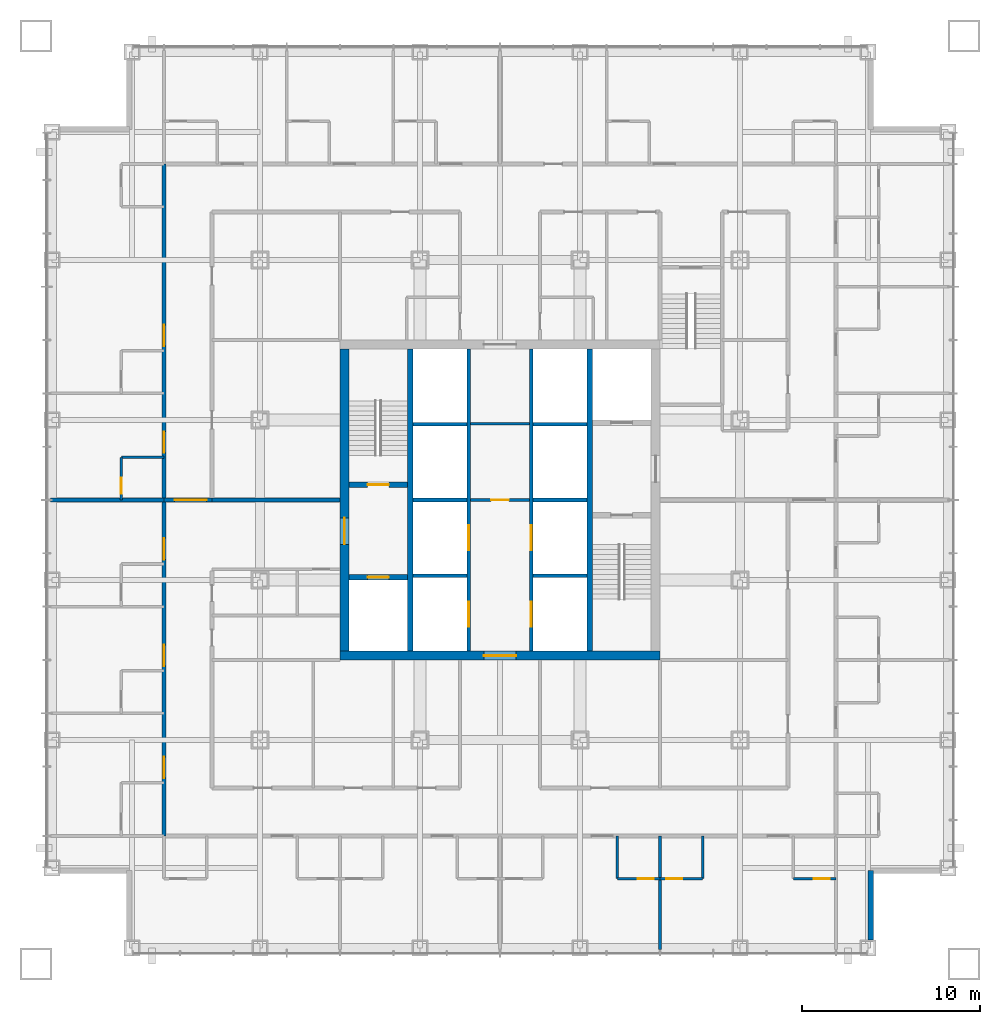
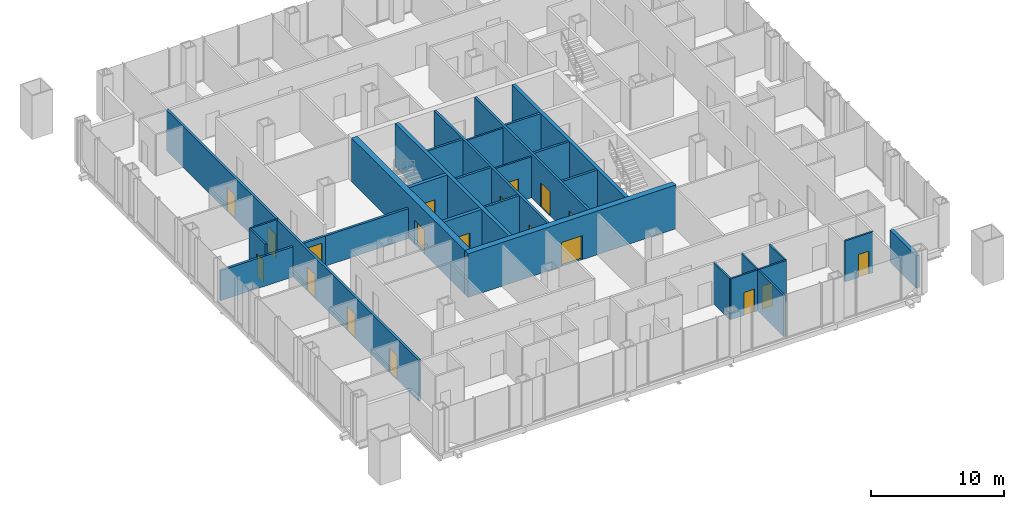
# One storey, part 8 of 12: 29 walls, 19 doors, 19 openings.
"""IFC4 building model written with IfcOpenShell, lengths in metres."""

from ifc_helpers import new_model, si_unit, direction, frame, frame_2d, origin, place, context, subcontext, project, spatial, rectangle, extrude, material, layer, layer_set, type_object, element, fill, save


model = new_model("IFC4")

# Units and contexts
model_context = context("Model", 3, precision=1e-05, world=origin(), true_north=direction((0.0, 1.0)))
body_context = subcontext(model_context, "Body", "Model", "MODEL_VIEW")
ifc_project = project(units=[si_unit("LENGTHUNIT", "METRE"), si_unit("AREAUNIT", "SQUARE_METRE"), si_unit("VOLUMEUNIT", "CUBIC_METRE"), si_unit("PLANEANGLEUNIT", "RADIAN"), si_unit("MASSUNIT", "GRAM", prefix="KILO")], contexts=[model_context])

# Site, building, storey
site_placement = place(None, origin())
site = spatial("IfcSite", under=ifc_project, at=site_placement, CompositionType="ELEMENT")
building_placement = place(site_placement, origin())
building = spatial("IfcBuilding", under=site, at=building_placement, Name="Malebo Sky Hospital", CompositionType="ELEMENT")
storey_placement = place(building_placement, frame((0.0, 0.0, 59.0)))
storey = spatial("IfcBuildingStorey", under=building, at=storey_placement, Name="L13", CompositionType="ELEMENT", Elevation=59.0)

# Wall, openings, doors
ifc_material_1 = material(Name="Concrete C80/95", Category="concrete")
ifc_layer_1 = layer(ifc_material_1, 0.199951171875)
ifc_layer_set_1 = layer_set([ifc_layer_1], Name="CORE INNER WALL 200")
wall_type_1 = type_object("IfcWallType", Name="CORE INNER WALL 200", PredefinedType="SHEAR", material=ifc_layer_set_1)
wall_1_placement = place(storey_placement, frame((58.25, 53.5, 0.0), z_axis=(0.0, 0.0, 1.0), x_axis=(0.0, 1.0, 0.0)))
wall_1 = element("IfcWall", 1, at=wall_1_placement, inside=storey, type_object=wall_type_1, Name="Core wall LW L13", PredefinedType="SHEAR", context=body_context, shape_type="SweptSolid", body=[
    extrude(rectangle(XDim=17.0, YDim=0.199951171875, at=frame_2d((8.5, 0.0))), origin(), (0.0, 0.0, 1.0), 4.0),
])
opening_1_placement = place(wall_1_placement, frame((1.375, 0.0, 0.0)))
opening_1 = element("IfcOpeningElement", 2, at=opening_1_placement, cuts=wall_1, Name="Opening LD1", PredefinedType="OPENING", context=body_context, shape_type="SweptSolid", body=[
    extrude(rectangle(XDim=1.39990234375, YDim=2.199951171875, at=frame_2d((0.699951171875, 1.10009765625))), frame((0.0, 0.10986328125, 0.0), z_axis=(0.0, -1.0, 0.0), x_axis=(1.0, 0.0, 0.0)), (0.0, 0.0, 1.0), 0.219970703125),
])
opening_2_placement = place(wall_1_placement, frame((5.675048828125, 0.0, 0.0)))
opening_2 = element("IfcOpeningElement", 3, at=opening_2_placement, cuts=wall_1, Name="Opening LD1", PredefinedType="OPENING", context=body_context, shape_type="SweptSolid", body=[
    extrude(rectangle(XDim=1.39990234375, YDim=2.199951171875, at=frame_2d((0.699951171875, 1.10009765625))), frame((0.0, 0.10986328125, 0.0), z_axis=(0.0, -1.0, 0.0), x_axis=(1.0, 0.0, 0.0)), (0.0, 0.0, 1.0), 0.219970703125),
])
ifc_material_2 = material(Name="Stainless steel sliding landing door", Category="steel")
door_type_1 = type_object("IfcDoorType", Name="LIFT LANDING DOOR 1400", OperationType="SLIDING_TO_LEFT", PredefinedType="DOOR", material=ifc_material_2)
door_1_placement = place(opening_1_placement, origin())
door_1 = element("IfcDoor", 4, at=door_1_placement, inside=storey, type_object=door_type_1, Name="Lift W1 landing door", OperationType="SLIDING_TO_LEFT", OverallHeight=2.199951171875, OverallWidth=1.39990234375, PredefinedType="DOOR", context=body_context, shape_type="SweptSolid", body=[
    extrude(rectangle(XDim=1.39990234375, YDim=2.199951171875, at=frame_2d((0.699951171875, 1.10009765625))), frame((0.0, 0.02490234375, 0.0), z_axis=(0.0, -1.0, 0.0), x_axis=(1.0, 0.0, 0.0)), (0.0, 0.0, 1.0), 0.050048828125),
])
fill(opening_1, door_1)
door_2_placement = place(opening_2_placement, origin())
door_2 = element("IfcDoor", 5, at=door_2_placement, inside=storey, type_object=door_type_1, Name="Lift W2 landing door", OperationType="SLIDING_TO_LEFT", OverallHeight=2.199951171875, OverallWidth=1.39990234375, PredefinedType="DOOR", context=body_context, shape_type="SweptSolid", body=[
    extrude(rectangle(XDim=1.39990234375, YDim=2.199951171875, at=frame_2d((0.699951171875, 1.10009765625))), frame((0.0, 0.02490234375, 0.0), z_axis=(0.0, -1.0, 0.0), x_axis=(1.0, 0.0, 0.0)), (0.0, 0.0, 1.0), 0.050048828125),
])
fill(opening_2, door_2)

wall_2_placement = place(storey_placement, frame((61.75, 53.5, 0.0), z_axis=(0.0, 0.0, 1.0), x_axis=(0.0, 1.0, 0.0)))
wall_2 = element("IfcWall", 6, at=wall_2_placement, inside=storey, type_object=wall_type_1, Name="Core wall LE L13", PredefinedType="SHEAR", context=body_context, shape_type="SweptSolid", body=[
    extrude(rectangle(XDim=17.0, YDim=0.199951171875, at=frame_2d((8.5, 0.0))), origin(), (0.0, 0.0, 1.0), 4.0),
])
opening_3_placement = place(wall_2_placement, frame((1.375, 0.0, 0.0)))
opening_3 = element("IfcOpeningElement", 7, at=opening_3_placement, cuts=wall_2, Name="Opening LD1", PredefinedType="OPENING", context=body_context, shape_type="SweptSolid", body=[
    extrude(rectangle(XDim=1.39990234375, YDim=2.199951171875, at=frame_2d((0.699951171875, 1.10009765625))), frame((0.0, 0.10986328125, 0.0), z_axis=(0.0, -1.0, 0.0), x_axis=(1.0, 0.0, 0.0)), (0.0, 0.0, 1.0), 0.219970703125),
])
opening_4_placement = place(wall_2_placement, frame((5.675048828125, 0.0, 0.0)))
opening_4 = element("IfcOpeningElement", 8, at=opening_4_placement, cuts=wall_2, Name="Opening LD1", PredefinedType="OPENING", context=body_context, shape_type="SweptSolid", body=[
    extrude(rectangle(XDim=1.39990234375, YDim=2.199951171875, at=frame_2d((0.699951171875, 1.10009765625))), frame((0.0, 0.10986328125, 0.0), z_axis=(0.0, -1.0, 0.0), x_axis=(1.0, 0.0, 0.0)), (0.0, 0.0, 1.0), 0.219970703125),
])
door_3_placement = place(opening_3_placement, origin())
door_3 = element("IfcDoor", 9, at=door_3_placement, inside=storey, type_object=door_type_1, Name="Lift E1 landing door", OperationType="SLIDING_TO_LEFT", OverallHeight=2.199951171875, OverallWidth=1.39990234375, PredefinedType="DOOR", context=body_context, shape_type="SweptSolid", body=[
    extrude(rectangle(XDim=1.39990234375, YDim=2.199951171875, at=frame_2d((0.699951171875, 1.10009765625))), frame((0.0, 0.02490234375, 0.0), z_axis=(0.0, -1.0, 0.0), x_axis=(1.0, 0.0, 0.0)), (0.0, 0.0, 1.0), 0.050048828125),
])
fill(opening_3, door_3)
door_4_placement = place(opening_4_placement, origin())
door_4 = element("IfcDoor", 10, at=door_4_placement, inside=storey, type_object=door_type_1, Name="Lift E2 landing door", OperationType="SLIDING_TO_LEFT", OverallHeight=2.199951171875, OverallWidth=1.39990234375, PredefinedType="DOOR", context=body_context, shape_type="SweptSolid", body=[
    extrude(rectangle(XDim=1.39990234375, YDim=2.199951171875, at=frame_2d((0.699951171875, 1.10009765625))), frame((0.0, 0.02490234375, 0.0), z_axis=(0.0, -1.0, 0.0), x_axis=(1.0, 0.0, 0.0)), (0.0, 0.0, 1.0), 0.050048828125),
])
fill(opening_4, door_4)

# Walls
for number, where, z_axis, x_axis, name in (
    (11, (55.10009765625, 57.75, 0.0), (0.0, 0.0, 1.0), (1.0, 0.0, 0.0), "Core wall SW0 L13"),
    (12, (61.85009765625, 57.75, 0.0), (0.0, 0.0, 1.0), (1.0, 0.0, 0.0), "Core wall SE0 L13"),
    (13, (55.10009765625, 62.0, 0.0), (0.0, 0.0, 1.0), (1.0, 0.0, 0.0), "Core wall SW1 L13"),
    (14, (61.85009765625, 62.0, 0.0), (0.0, 0.0, 1.0), (1.0, 0.0, 0.0), "Core wall SE1 L13"),
    (15, (55.10009765625, 66.25, 0.0), (0.0, 0.0, 1.0), (1.0, 0.0, 0.0), "Core wall SW2 L13"),
    (16, (61.85009765625, 66.25, 0.0), (0.0, 0.0, 1.0), (1.0, 0.0, 0.0), "Core wall SE2 L13"),
):
    element("IfcWall", number, at=place(storey_placement, frame(where, z_axis=z_axis, x_axis=x_axis)), inside=storey, type_object=wall_type_1, Name=name, PredefinedType="SHEAR", context=body_context, shape_type="SweptSolid", body=[
        extrude(rectangle(XDim=3.0498046875, YDim=0.199951171875, at=frame_2d((1.52490234375, 0.0))), origin(), (0.0, 0.0, 1.0), 4.0),
    ])
ifc_layer_2 = layer(ifc_material_1, 0.300048828125)
ifc_layer_set_2 = layer_set([ifc_layer_2], Name="CORE INNER WALL 300")
wall_type_2 = type_object("IfcWallType", Name="CORE INNER WALL 300", PredefinedType="SHEAR", material=ifc_layer_set_2)
for number, where, z_axis, x_axis, name in (
    (17, (54.949951171875, 53.5, 0.0), (0.0, 0.0, 1.0), (0.0, 1.0, 0.0), "Core wall XW L13"),
    (18, (65.050048828125, 53.5, 0.0), (0.0, 0.0, 1.0), (0.0, 1.0, 0.0), "Core wall XE L13"),
):
    element("IfcWall", number, at=place(storey_placement, frame(where, z_axis=z_axis, x_axis=x_axis)), inside=storey, type_object=wall_type_2, Name=name, PredefinedType="SHEAR", context=body_context, shape_type="SweptSolid", body=[
        extrude(rectangle(XDim=17.0, YDim=0.300048828125, at=frame_2d((8.5, 0.0))), origin(), (0.0, 0.0, 1.0), 4.0),
    ])

# Wall, opening, door
wall_3_placement = place(storey_placement, frame((51.5, 62.85009765625, 0.0), z_axis=(0.0, 0.0, 1.0), x_axis=(1.0, 0.0, 0.0)))
wall_3 = element("IfcWall", 19, at=wall_3_placement, inside=storey, type_object=wall_type_2, Name="Core wall W1 L13", PredefinedType="SHEAR", context=body_context, shape_type="SweptSolid", body=[
    extrude(rectangle(XDim=3.300048828125, YDim=0.300048828125, at=frame_2d((1.64990234375, 0.0))), origin(), (0.0, 0.0, 1.0), 4.0),
])
opening_5_placement = place(wall_3_placement, frame((1.050048828125, 0.0, 0.0)))
opening_5 = element("IfcOpeningElement", 20, at=opening_5_placement, cuts=wall_3, Name="Opening D08", PredefinedType="OPENING", context=body_context, shape_type="SweptSolid", body=[
    extrude(rectangle(XDim=1.199951171875, YDim=2.10009765625, at=frame_2d((0.60009765625, 1.050048828125))), frame((0.0, 0.159912109375, 0.0), z_axis=(0.0, -1.0, 0.0), x_axis=(1.0, 0.0, 0.0)), (0.0, 0.0, 1.0), 0.320068359375),
])
ifc_material_3 = material(Name="Hardwood-faced door leaf in steel frame", Category="steel")
door_type_2 = type_object("IfcDoorType", Name="STAIR DOOR 1200", OperationType="SINGLE_SWING_LEFT", PredefinedType="DOOR", material=ifc_material_3)
door_5_placement = place(opening_5_placement, origin())
door_5 = element("IfcDoor", 21, at=door_5_placement, inside=storey, type_object=door_type_2, Name="Stair S1 door", OperationType="SINGLE_SWING_LEFT", OverallHeight=2.10009765625, OverallWidth=1.199951171875, PredefinedType="DOOR", context=body_context, shape_type="SweptSolid", body=[
    extrude(rectangle(XDim=1.199951171875, YDim=2.10009765625, at=frame_2d((0.60009765625, 1.050048828125))), frame((0.0, 0.02490234375, 0.0), z_axis=(0.0, -1.0, 0.0), x_axis=(1.0, 0.0, 0.0)), (0.0, 0.0, 1.0), 0.050048828125),
])
fill(opening_5, door_5)

wall_4_placement = place(storey_placement, frame((51.5, 57.64990234375, 0.0), z_axis=(0.0, 0.0, 1.0), x_axis=(1.0, 0.0, 0.0)))
wall_4 = element("IfcWall", 22, at=wall_4_placement, inside=storey, type_object=wall_type_2, Name="Core wall W2 L13", PredefinedType="SHEAR", context=body_context, shape_type="SweptSolid", body=[
    extrude(rectangle(XDim=3.300048828125, YDim=0.300048828125, at=frame_2d((1.64990234375, 0.0))), origin(), (0.0, 0.0, 1.0), 4.0),
])
opening_6_placement = place(wall_4_placement, frame((1.050048828125, 0.0, 0.0)))
opening_6 = element("IfcOpeningElement", 23, at=opening_6_placement, cuts=wall_4, Name="Opening LD2", PredefinedType="OPENING", context=body_context, shape_type="SweptSolid", body=[
    extrude(rectangle(XDim=1.199951171875, YDim=2.199951171875, at=frame_2d((0.60009765625, 1.10009765625))), frame((0.0, 0.159912109375, 0.0), z_axis=(0.0, -1.0, 0.0), x_axis=(1.0, 0.0, 0.0)), (0.0, 0.0, 1.0), 0.320068359375),
])
door_type_3 = type_object("IfcDoorType", Name="FIRE-FIGHTING LIFT LANDING DOOR 1200", OperationType="SLIDING_TO_LEFT", PredefinedType="DOOR", material=ifc_material_2)
door_6_placement = place(opening_6_placement, origin())
door_6 = element("IfcDoor", 24, at=door_6_placement, inside=storey, type_object=door_type_3, Name="Lift FL1 landing door", OperationType="SLIDING_TO_LEFT", OverallHeight=2.199951171875, OverallWidth=1.199951171875, PredefinedType="DOOR", context=body_context, shape_type="SweptSolid", body=[
    extrude(rectangle(XDim=1.199951171875, YDim=2.199951171875, at=frame_2d((0.60009765625, 1.10009765625))), frame((0.0, 0.02490234375, 0.0), z_axis=(0.0, -1.0, 0.0), x_axis=(1.0, 0.0, 0.0)), (0.0, 0.0, 1.0), 0.050048828125),
])
fill(opening_6, door_6)

ifc_layer_3 = layer(ifc_material_1, 0.5)
ifc_layer_set_3 = layer_set([ifc_layer_3], Name="CORE WALL 500")
wall_type_3 = type_object("IfcWallType", Name="CORE WALL 500", PredefinedType="SHEAR", material=ifc_layer_set_3)
wall_5_placement = place(storey_placement, frame((51.0, 53.25, 0.0), z_axis=(0.0, 0.0, 1.0), x_axis=(1.0, 0.0, 0.0)))
wall_5 = element("IfcWall", 25, at=wall_5_placement, inside=storey, type_object=wall_type_3, Name="Core wall S L13", PredefinedType="SHEAR", context=body_context, shape_type="SweptSolid", body=[
    extrude(rectangle(XDim=18.0, YDim=0.5, at=frame_2d((9.0, 0.0))), origin(), (0.0, 0.0, 1.0), 4.0),
])
opening_7_placement = place(wall_5_placement, frame((8.10009765625, 0.0, 0.0)))
opening_7 = element("IfcOpeningElement", 26, at=opening_7_placement, cuts=wall_5, Name="Opening D06", PredefinedType="OPENING", context=body_context, shape_type="SweptSolid", body=[
    extrude(rectangle(XDim=1.800048828125, YDim=2.199951171875, at=frame_2d((0.89990234375, 1.10009765625))), frame((0.0, 0.260009765625, 0.0), z_axis=(0.0, -1.0, 0.0), x_axis=(1.0, 0.0, 0.0)), (0.0, 0.0, 1.0), 0.52001953125),
])
door_type_4 = type_object("IfcDoorType", Name="LOBBY DOOR PAIR 1800", OperationType="DOUBLE_DOOR_SINGLE_SWING", PredefinedType="DOOR", material=ifc_material_3)
door_7_placement = place(opening_7_placement, origin())
door_7 = element("IfcDoor", 27, at=door_7_placement, inside=storey, type_object=door_type_4, Name="Lift lobby door south", OperationType="DOUBLE_DOOR_SINGLE_SWING", OverallHeight=2.199951171875, OverallWidth=1.800048828125, PredefinedType="DOOR", context=body_context, shape_type="SweptSolid", body=[
    extrude(rectangle(XDim=1.800048828125, YDim=2.199951171875, at=frame_2d((0.89990234375, 1.10009765625))), frame((0.0, 0.02490234375, 0.0), z_axis=(0.0, -1.0, 0.0), x_axis=(1.0, 0.0, 0.0)), (0.0, 0.0, 1.0), 0.050048828125),
])
fill(opening_7, door_7)

wall_6_placement = place(storey_placement, frame((51.25, 53.5, 0.0), z_axis=(0.0, 0.0, 1.0), x_axis=(0.0, 1.0, 0.0)))
wall_6 = element("IfcWall", 28, at=wall_6_placement, inside=storey, type_object=wall_type_3, Name="Core wall W L13", PredefinedType="SHEAR", context=body_context, shape_type="SweptSolid", body=[
    extrude(rectangle(XDim=17.0, YDim=0.5, at=frame_2d((8.5, 0.0))), origin(), (0.0, 0.0, 1.0), 4.0),
])
opening_8_placement = place(wall_6_placement, frame((6.0, 0.0, 0.0)))
opening_8 = element("IfcOpeningElement", 29, at=opening_8_placement, cuts=wall_6, Name="Opening D07", PredefinedType="OPENING", context=body_context, shape_type="SweptSolid", body=[
    extrude(rectangle(XDim=1.5, YDim=2.199951171875, at=frame_2d((0.75, 1.10009765625))), frame((0.0, 0.260009765625, 0.0), z_axis=(0.0, -1.0, 0.0), x_axis=(1.0, 0.0, 0.0)), (0.0, 0.0, 1.0), 0.52001953125),
])
door_type_5 = type_object("IfcDoorType", Name="FIRE-FIGHTING LOBBY DOOR PAIR 1500", OperationType="DOUBLE_DOOR_SINGLE_SWING", PredefinedType="DOOR", material=ifc_material_3)
door_8_placement = place(opening_8_placement, origin())
door_8 = element("IfcDoor", 30, at=door_8_placement, inside=storey, type_object=door_type_5, Name="Fire-fighting lobby door west", OperationType="DOUBLE_DOOR_SINGLE_SWING", OverallHeight=2.199951171875, OverallWidth=1.5, PredefinedType="DOOR", context=body_context, shape_type="SweptSolid", body=[
    extrude(rectangle(XDim=1.5, YDim=2.199951171875, at=frame_2d((0.75, 1.10009765625))), frame((0.0, 0.02490234375, 0.0), z_axis=(0.0, -1.0, 0.0), x_axis=(1.0, 0.0, 0.0)), (0.0, 0.0, 1.0), 0.050048828125),
])
fill(opening_8, door_8)

# Wall, openings, doors
ifc_material_4 = material(Name="Gypsum board on steel studs", Category="steel")
ifc_layer_4 = layer(ifc_material_4, 0.199951171875)
ifc_layer_set_4 = layer_set([ifc_layer_4], Name="CORRIDOR WALL 200")
wall_type_4 = type_object("IfcWallType", Name="CORRIDOR WALL 200", PredefinedType="PARTITIONING", material=ifc_layer_set_4)
wall_7_placement = place(storey_placement, frame((41.10009765625, 43.10009765625, 0.0), z_axis=(0.0, 0.0, 1.0), x_axis=(0.0, 1.0, 0.0)))
wall_7 = element("IfcWall", 31, at=wall_7_placement, inside=storey, type_object=wall_type_4, Name="Corridor Wall 200 WCO", PredefinedType="PARTITIONING", context=body_context, shape_type="SweptSolid", body=[
    extrude(rectangle(XDim=37.7998046875, YDim=0.199951171875, at=frame_2d((18.89990234375, 0.0))), origin(), (0.0, 0.0, 1.0), 3.75),
])
opening_9_placement = place(wall_7_placement, frame((3.25, 0.0, 0.0)))
opening_9 = element("IfcOpeningElement", 32, at=opening_9_placement, cuts=wall_7, Name="Opening D01", PredefinedType="OPENING", context=body_context, shape_type="SweptSolid", body=[
    extrude(rectangle(XDim=1.199951171875, YDim=2.199951171875, at=frame_2d((0.60009765625, 1.10009765625))), frame((0.0, 0.10986328125, 0.0), z_axis=(0.0, -1.0, 0.0), x_axis=(1.0, 0.0, 0.0)), (0.0, 0.0, 1.0), 0.219970703125),
])
opening_10_placement = place(wall_7_placement, frame((9.550048828125, 0.0, 0.0)))
opening_10 = element("IfcOpeningElement", 33, at=opening_10_placement, cuts=wall_7, Name="Opening D01", PredefinedType="OPENING", context=body_context, shape_type="SweptSolid", body=[
    extrude(rectangle(XDim=1.199951171875, YDim=2.199951171875, at=frame_2d((0.60009765625, 1.10009765625))), frame((0.0, 0.10986328125, 0.0), z_axis=(0.0, -1.0, 0.0), x_axis=(1.0, 0.0, 0.0)), (0.0, 0.0, 1.0), 0.219970703125),
])
opening_11_placement = place(wall_7_placement, frame((15.550048828125, 0.0, 0.0)))
opening_11 = element("IfcOpeningElement", 34, at=opening_11_placement, cuts=wall_7, Name="Opening D01", PredefinedType="OPENING", context=body_context, shape_type="SweptSolid", body=[
    extrude(rectangle(XDim=1.199951171875, YDim=2.199951171875, at=frame_2d((0.60009765625, 1.10009765625))), frame((0.0, 0.10986328125, 0.0), z_axis=(0.0, -1.0, 0.0), x_axis=(1.0, 0.0, 0.0)), (0.0, 0.0, 1.0), 0.219970703125),
])
opening_12_placement = place(wall_7_placement, frame((21.550048828125, 0.0, 0.0)))
opening_12 = element("IfcOpeningElement", 35, at=opening_12_placement, cuts=wall_7, Name="Opening D01", PredefinedType="OPENING", context=body_context, shape_type="SweptSolid", body=[
    extrude(rectangle(XDim=1.199951171875, YDim=2.199951171875, at=frame_2d((0.60009765625, 1.10009765625))), frame((0.0, 0.10986328125, 0.0), z_axis=(0.0, -1.0, 0.0), x_axis=(1.0, 0.0, 0.0)), (0.0, 0.0, 1.0), 0.219970703125),
])
opening_13_placement = place(wall_7_placement, frame((27.550048828125, 0.0, 0.0)))
opening_13 = element("IfcOpeningElement", 36, at=opening_13_placement, cuts=wall_7, Name="Opening D01", PredefinedType="OPENING", context=body_context, shape_type="SweptSolid", body=[
    extrude(rectangle(XDim=1.199951171875, YDim=2.199951171875, at=frame_2d((0.60009765625, 1.10009765625))), frame((0.0, 0.10986328125, 0.0), z_axis=(0.0, -1.0, 0.0), x_axis=(1.0, 0.0, 0.0)), (0.0, 0.0, 1.0), 0.219970703125),
])
door_type_6 = type_object("IfcDoorType", Name="BED DOOR 1200", OperationType="SINGLE_SWING_LEFT", PredefinedType="DOOR", material=ifc_material_3)
door_9_placement = place(opening_9_placement, origin())
door_9 = element("IfcDoor", 37, at=door_9_placement, inside=storey, type_object=door_type_6, Name="Two-bed room door", OperationType="SINGLE_SWING_LEFT", OverallHeight=2.199951171875, OverallWidth=1.199951171875, PredefinedType="DOOR", context=body_context, shape_type="SweptSolid", body=[
    extrude(rectangle(XDim=1.199951171875, YDim=2.199951171875, at=frame_2d((0.60009765625, 1.10009765625))), frame((0.0, 0.02490234375, 0.0), z_axis=(0.0, -1.0, 0.0), x_axis=(1.0, 0.0, 0.0)), (0.0, 0.0, 1.0), 0.050048828125),
])
fill(opening_9, door_9)
door_10_placement = place(opening_10_placement, origin())
door_10 = element("IfcDoor", 38, at=door_10_placement, inside=storey, type_object=door_type_6, Name="Two-bed room door", OperationType="SINGLE_SWING_LEFT", OverallHeight=2.199951171875, OverallWidth=1.199951171875, PredefinedType="DOOR", context=body_context, shape_type="SweptSolid", body=[
    extrude(rectangle(XDim=1.199951171875, YDim=2.199951171875, at=frame_2d((0.60009765625, 1.10009765625))), frame((0.0, 0.02490234375, 0.0), z_axis=(0.0, -1.0, 0.0), x_axis=(1.0, 0.0, 0.0)), (0.0, 0.0, 1.0), 0.050048828125),
])
fill(opening_10, door_10)
door_11_placement = place(opening_11_placement, origin())
door_11 = element("IfcDoor", 39, at=door_11_placement, inside=storey, type_object=door_type_6, Name="Two-bed room door", OperationType="SINGLE_SWING_LEFT", OverallHeight=2.199951171875, OverallWidth=1.199951171875, PredefinedType="DOOR", context=body_context, shape_type="SweptSolid", body=[
    extrude(rectangle(XDim=1.199951171875, YDim=2.199951171875, at=frame_2d((0.60009765625, 1.10009765625))), frame((0.0, 0.02490234375, 0.0), z_axis=(0.0, -1.0, 0.0), x_axis=(1.0, 0.0, 0.0)), (0.0, 0.0, 1.0), 0.050048828125),
])
fill(opening_11, door_11)
door_12_placement = place(opening_12_placement, origin())
door_12 = element("IfcDoor", 40, at=door_12_placement, inside=storey, type_object=door_type_6, Name="Two-bed room door", OperationType="SINGLE_SWING_LEFT", OverallHeight=2.199951171875, OverallWidth=1.199951171875, PredefinedType="DOOR", context=body_context, shape_type="SweptSolid", body=[
    extrude(rectangle(XDim=1.199951171875, YDim=2.199951171875, at=frame_2d((0.60009765625, 1.10009765625))), frame((0.0, 0.02490234375, 0.0), z_axis=(0.0, -1.0, 0.0), x_axis=(1.0, 0.0, 0.0)), (0.0, 0.0, 1.0), 0.050048828125),
])
fill(opening_12, door_12)
door_13_placement = place(opening_13_placement, origin())
door_13 = element("IfcDoor", 41, at=door_13_placement, inside=storey, type_object=door_type_6, Name="Four-bed bay door", OperationType="SINGLE_SWING_LEFT", OverallHeight=2.199951171875, OverallWidth=1.199951171875, PredefinedType="DOOR", context=body_context, shape_type="SweptSolid", body=[
    extrude(rectangle(XDim=1.199951171875, YDim=2.199951171875, at=frame_2d((0.60009765625, 1.10009765625))), frame((0.0, 0.02490234375, 0.0), z_axis=(0.0, -1.0, 0.0), x_axis=(1.0, 0.0, 0.0)), (0.0, 0.0, 1.0), 0.050048828125),
])
fill(opening_13, door_13)

# Wall
ifc_material_5 = material(Name="Anodised aluminium rainscreen on steel framing", Category="steel")
ifc_layer_5 = layer(ifc_material_5, 0.300048828125)
ifc_layer_set_5 = layer_set([ifc_layer_5], Name="NOTCH RAINSCREEN WALL 300")
wall_type_5 = type_object("IfcWallType", Name="NOTCH RAINSCREEN WALL 300", PredefinedType="ELEMENTEDWALL", material=ifc_layer_set_5)
wall_8_placement = place(storey_placement, frame((80.85009765625, 41.14990234375, 0.0), z_axis=(0.0, 0.0, 1.0), x_axis=(0.0, -1.0, 0.0)))
element("IfcWall", 42, at=wall_8_placement, inside=storey, type_object=wall_type_5, Name="Notch rainscreen wall E2 L13", PredefinedType="ELEMENTEDWALL", context=body_context, shape_type="SweptSolid", body=[
    extrude(rectangle(XDim=3.89990234375, YDim=0.300048828125, at=frame_2d((1.949951171875, 0.0))), origin(), (0.0, 0.0, 1.0), 2.949951171875),
])

# Wall, opening, door
ifc_layer_6 = layer(ifc_material_4, 0.14990234375)
ifc_layer_set_6 = layer_set([ifc_layer_6], Name="PARTITION 150")
wall_type_6 = type_object("IfcWallType", Name="PARTITION 150", PredefinedType="PARTITIONING", material=ifc_layer_set_6)
wall_9_placement = place(storey_placement, frame((38.699951171875, 62.0, 0.0), z_axis=(0.0, 0.0, 1.0), x_axis=(0.0, 1.0, 0.0)))
wall_9 = element("IfcWall", 43, at=wall_9_placement, inside=storey, type_object=wall_type_6, Name="Partition 150 WE3F", PredefinedType="PARTITIONING", context=body_context, shape_type="SweptSolid", body=[
    extrude(rectangle(XDim=2.39990234375, YDim=0.14990234375, at=frame_2d((1.199951171875, 0.0))), origin(), (0.0, 0.0, 1.0), 3.75),
])
opening_14_placement = place(wall_9_placement, frame((0.35009765625, 0.0, 0.0)))
opening_14 = element("IfcOpeningElement", 44, at=opening_14_placement, cuts=wall_9, Name="Opening D02", PredefinedType="OPENING", context=body_context, shape_type="SweptSolid", body=[
    extrude(rectangle(XDim=0.89990234375, YDim=2.10009765625, at=frame_2d((0.449951171875, 1.050048828125))), frame((0.0, 0.0849609375, 0.0), z_axis=(0.0, -1.0, 0.0), x_axis=(1.0, 0.0, 0.0)), (0.0, 0.0, 1.0), 0.169921875),
])
door_type_7 = type_object("IfcDoorType", Name="EN-SUITE DOOR 900", OperationType="SINGLE_SWING_LEFT", PredefinedType="DOOR", material=ifc_material_3)
door_14_placement = place(opening_14_placement, origin())
door_14 = element("IfcDoor", 45, at=door_14_placement, inside=storey, type_object=door_type_7, Name="En-suite door", OperationType="SINGLE_SWING_LEFT", OverallHeight=2.10009765625, OverallWidth=0.89990234375, PredefinedType="DOOR", context=body_context, shape_type="SweptSolid", body=[
    extrude(rectangle(XDim=0.89990234375, YDim=2.10009765625, at=frame_2d((0.449951171875, 1.050048828125))), frame((0.0, 0.02490234375, 0.0), z_axis=(0.0, -1.0, 0.0), x_axis=(1.0, 0.0, 0.0)), (0.0, 0.0, 1.0), 0.050048828125),
])
fill(opening_14, door_14)

# Walls
wall_10_placement = place(storey_placement, frame((41.10009765625, 64.39990234375, 0.0), z_axis=(0.0, 0.0, 1.0), x_axis=(-1.0, 0.0, 0.0)))
element("IfcWall", 46, at=wall_10_placement, inside=storey, type_object=wall_type_6, Name="Partition 150 WE3S", PredefinedType="PARTITIONING", context=body_context, shape_type="SweptSolid", body=[
    extrude(rectangle(XDim=2.400146484375, YDim=0.14990234375, at=frame_2d((1.2001953125, 0.0))), origin(), (0.0, 0.0, 1.0), 3.75),
])
wall_11_placement = place(storey_placement, frame((69.0, 43.10009765625, 0.0), z_axis=(0.0, 0.0, 1.0), x_axis=(0.0, -1.0, 0.0)))
element("IfcWall", 47, at=wall_11_placement, inside=storey, type_object=wall_type_6, Name="Partition 150 SP-9.0", PredefinedType="PARTITIONING", context=body_context, shape_type="SweptSolid", body=[
    extrude(rectangle(XDim=6.375, YDim=0.14990234375, at=frame_2d((3.1875, 0.0))), origin(), (0.0, 0.0, 1.0), 3.75),
])

# Wall, opening, door
wall_12_placement = place(storey_placement, frame((78.89990234375, 40.699951171875, 0.0), z_axis=(0.0, 0.0, 1.0), x_axis=(-1.0, 0.0, 0.0)))
wall_12 = element("IfcWall", 48, at=wall_12_placement, inside=storey, type_object=wall_type_6, Name="Partition 150 SE0F", PredefinedType="PARTITIONING", context=body_context, shape_type="SweptSolid", body=[
    extrude(rectangle(XDim=2.39990234375, YDim=0.14990234375, at=frame_2d((1.199951171875, 0.0))), origin(), (0.0, 0.0, 1.0), 3.75),
])
opening_15_placement = place(wall_12_placement, frame((0.35009765625, 0.0, 0.0)))
opening_15 = element("IfcOpeningElement", 49, at=opening_15_placement, cuts=wall_12, Name="Opening D02", PredefinedType="OPENING", context=body_context, shape_type="SweptSolid", body=[
    extrude(rectangle(XDim=0.89990234375, YDim=2.10009765625, at=frame_2d((0.449951171875, 1.050048828125))), frame((0.0, 0.0849609375, 0.0), z_axis=(0.0, -1.0, 0.0), x_axis=(1.0, 0.0, 0.0)), (0.0, 0.0, 1.0), 0.169921875),
])
door_15_placement = place(opening_15_placement, origin())
door_15 = element("IfcDoor", 50, at=door_15_placement, inside=storey, type_object=door_type_7, Name="En-suite door", OperationType="SINGLE_SWING_LEFT", OverallHeight=2.10009765625, OverallWidth=0.89990234375, PredefinedType="DOOR", context=body_context, shape_type="SweptSolid", body=[
    extrude(rectangle(XDim=0.89990234375, YDim=2.10009765625, at=frame_2d((0.449951171875, 1.050048828125))), frame((0.0, 0.02490234375, 0.0), z_axis=(0.0, -1.0, 0.0), x_axis=(1.0, 0.0, 0.0)), (0.0, 0.0, 1.0), 0.050048828125),
])
fill(opening_15, door_15)

wall_13_placement = place(storey_placement, frame((71.39990234375, 40.699951171875, 0.0), z_axis=(0.0, 0.0, 1.0), x_axis=(-1.0, 0.0, 0.0)))
wall_13 = element("IfcWall", 51, at=wall_13_placement, inside=storey, type_object=wall_type_6, Name="Partition 150 SG0F", PredefinedType="PARTITIONING", context=body_context, shape_type="SweptSolid", body=[
    extrude(rectangle(XDim=2.39990234375, YDim=0.14990234375, at=frame_2d((1.199951171875, 0.0))), origin(), (0.0, 0.0, 1.0), 3.75),
])
opening_16_placement = place(wall_13_placement, frame((1.14990234375, 0.0, 0.0)))
opening_16 = element("IfcOpeningElement", 52, at=opening_16_placement, cuts=wall_13, Name="Opening D02", PredefinedType="OPENING", context=body_context, shape_type="SweptSolid", body=[
    extrude(rectangle(XDim=0.89990234375, YDim=2.10009765625, at=frame_2d((0.449951171875, 1.050048828125))), frame((0.0, 0.0849609375, 0.0), z_axis=(0.0, -1.0, 0.0), x_axis=(1.0, 0.0, 0.0)), (0.0, 0.0, 1.0), 0.169921875),
])
door_16_placement = place(opening_16_placement, origin())
door_16 = element("IfcDoor", 53, at=door_16_placement, inside=storey, type_object=door_type_7, Name="En-suite door", OperationType="SINGLE_SWING_RIGHT", OverallHeight=2.10009765625, OverallWidth=0.89990234375, PredefinedType="DOOR", context=body_context, shape_type="SweptSolid", body=[
    extrude(rectangle(XDim=0.89990234375, YDim=2.10009765625, at=frame_2d((0.449951171875, 1.050048828125))), frame((0.0, 0.02490234375, 0.0), z_axis=(0.0, -1.0, 0.0), x_axis=(1.0, 0.0, 0.0)), (0.0, 0.0, 1.0), 0.050048828125),
])
fill(opening_16, door_16)

# Wall
wall_14_placement = place(storey_placement, frame((71.39990234375, 43.10009765625, 0.0), z_axis=(0.0, 0.0, 1.0), x_axis=(0.0, -1.0, 0.0)))
element("IfcWall", 54, at=wall_14_placement, inside=storey, type_object=wall_type_6, Name="Partition 150 SG0S", PredefinedType="PARTITIONING", context=body_context, shape_type="SweptSolid", body=[
    extrude(rectangle(XDim=2.400146484375, YDim=0.14990234375, at=frame_2d((1.2001953125, 0.0))), origin(), (0.0, 0.0, 1.0), 3.75),
])

# Wall, opening, door
wall_15_placement = place(storey_placement, frame((69.0, 40.699951171875, 0.0), z_axis=(0.0, 0.0, 1.0), x_axis=(-1.0, 0.0, 0.0)))
wall_15 = element("IfcWall", 55, at=wall_15_placement, inside=storey, type_object=wall_type_6, Name="Partition 150 SE1F", PredefinedType="PARTITIONING", context=body_context, shape_type="SweptSolid", body=[
    extrude(rectangle(XDim=2.39990234375, YDim=0.14990234375, at=frame_2d((1.199951171875, 0.0))), origin(), (0.0, 0.0, 1.0), 3.75),
])
opening_17_placement = place(wall_15_placement, frame((0.35009765625, 0.0, 0.0)))
opening_17 = element("IfcOpeningElement", 56, at=opening_17_placement, cuts=wall_15, Name="Opening D02", PredefinedType="OPENING", context=body_context, shape_type="SweptSolid", body=[
    extrude(rectangle(XDim=0.89990234375, YDim=2.10009765625, at=frame_2d((0.449951171875, 1.050048828125))), frame((0.0, 0.0849609375, 0.0), z_axis=(0.0, -1.0, 0.0), x_axis=(1.0, 0.0, 0.0)), (0.0, 0.0, 1.0), 0.169921875),
])
door_17_placement = place(opening_17_placement, origin())
door_17 = element("IfcDoor", 57, at=door_17_placement, inside=storey, type_object=door_type_7, Name="En-suite door", OperationType="SINGLE_SWING_LEFT", OverallHeight=2.10009765625, OverallWidth=0.89990234375, PredefinedType="DOOR", context=body_context, shape_type="SweptSolid", body=[
    extrude(rectangle(XDim=0.89990234375, YDim=2.10009765625, at=frame_2d((0.449951171875, 1.050048828125))), frame((0.0, 0.02490234375, 0.0), z_axis=(0.0, -1.0, 0.0), x_axis=(1.0, 0.0, 0.0)), (0.0, 0.0, 1.0), 0.050048828125),
])
fill(opening_17, door_17)

# Wall
wall_16_placement = place(storey_placement, frame((66.60009765625, 43.10009765625, 0.0), z_axis=(0.0, 0.0, 1.0), x_axis=(0.0, -1.0, 0.0)))
element("IfcWall", 58, at=wall_16_placement, inside=storey, type_object=wall_type_6, Name="Partition 150 SE1S", PredefinedType="PARTITIONING", context=body_context, shape_type="SweptSolid", body=[
    extrude(rectangle(XDim=2.400146484375, YDim=0.14990234375, at=frame_2d((1.2001953125, 0.0))), origin(), (0.0, 0.0, 1.0), 3.75),
])

# Wall, opening, door
wall_17_placement = place(storey_placement, frame((58.35009765625, 62.0, 0.0), z_axis=(0.0, 0.0, 1.0), x_axis=(1.0, 0.0, 0.0)))
wall_17 = element("IfcWall", 59, at=wall_17_placement, inside=storey, type_object=wall_type_6, Name="Partition 150 LBN", PredefinedType="PARTITIONING", context=body_context, shape_type="SweptSolid", body=[
    extrude(rectangle(XDim=3.2998046875, YDim=0.14990234375, at=frame_2d((1.64990234375, 0.0))), origin(), (0.0, 0.0, 1.0), 3.75),
])
opening_18_placement = place(wall_17_placement, frame((1.14990234375, 0.0, 0.0)))
opening_18 = element("IfcOpeningElement", 60, at=opening_18_placement, cuts=wall_17, Name="Opening D03", PredefinedType="OPENING", context=body_context, shape_type="SweptSolid", body=[
    extrude(rectangle(XDim=1.0, YDim=2.10009765625, at=frame_2d((0.5, 1.050048828125))), frame((0.0, 0.0849609375, 0.0), z_axis=(0.0, -1.0, 0.0), x_axis=(1.0, 0.0, 0.0)), (0.0, 0.0, 1.0), 0.169921875),
])
door_type_8 = type_object("IfcDoorType", Name="ROOM DOOR 1000", OperationType="SINGLE_SWING_LEFT", PredefinedType="DOOR", material=ifc_material_3)
door_18_placement = place(opening_18_placement, origin())
door_18 = element("IfcDoor", 61, at=door_18_placement, inside=storey, type_object=door_type_8, Name="Pantry store door", OperationType="SINGLE_SWING_LEFT", OverallHeight=2.10009765625, OverallWidth=1.0, PredefinedType="DOOR", context=body_context, shape_type="SweptSolid", body=[
    extrude(rectangle(XDim=1.0, YDim=2.10009765625, at=frame_2d((0.5, 1.050048828125))), frame((0.0, 0.02490234375, 0.0), z_axis=(0.0, -1.0, 0.0), x_axis=(1.0, 0.0, 0.0)), (0.0, 0.0, 1.0), 0.050048828125),
])
fill(opening_18, door_18)

# Walls
wall_18_placement = place(storey_placement, frame((58.35009765625, 66.28759765625, 0.0), z_axis=(0.0, 0.0, 1.0), x_axis=(1.0, 0.0, 0.0)))
element("IfcWall", 62, at=wall_18_placement, inside=storey, type_object=wall_type_6, Name="Partition 150 LBN1", PredefinedType="PARTITIONING", context=body_context, shape_type="SweptSolid", body=[
    extrude(rectangle(XDim=3.2998046875, YDim=0.14990234375, at=frame_2d((1.64990234375, 0.0))), origin(), (0.0, 0.0, 1.0), 3.75),
])
ifc_material_6 = material(Name="Concrete blockwork", Category="masonry")
ifc_layer_7 = layer(ifc_material_6, 0.199951171875)
ifc_layer_set_7 = layer_set([ifc_layer_7], Name="SMOKE BARRIER WALL 200")
wall_type_7 = type_object("IfcWallType", Name="SMOKE BARRIER WALL 200", PredefinedType="SOLIDWALL", material=ifc_layer_set_7)
wall_19_placement = place(storey_placement, frame((41.10009765625, 62.0, 0.0), z_axis=(0.0, 0.0, 1.0), x_axis=(-1.0, 0.0, 0.0)))
element("IfcWall", 63, at=wall_19_placement, inside=storey, type_object=wall_type_7, Name="Smoke Barrier Wall 200 WP+0.0", PredefinedType="SOLIDWALL", context=body_context, shape_type="SweptSolid", body=[
    extrude(rectangle(XDim=6.375, YDim=0.199951171875, at=frame_2d((3.1875, 0.0))), origin(), (0.0, 0.0, 1.0), 2.75),
])
wall_20_placement = place(storey_placement, frame((51.0, 62.0, 0.0), z_axis=(0.0, 0.0, 1.0), x_axis=(-1.0, 0.0, 0.0)))
element("IfcWall", 64, at=wall_20_placement, inside=storey, type_object=wall_type_7, Name="Smoke Barrier Wall 200 WSPB", PredefinedType="SOLIDWALL", context=body_context, shape_type="SweptSolid", body=[
    extrude(rectangle(XDim=7.199951171875, YDim=0.199951171875, at=frame_2d((3.60009765625, 0.0))), origin(), (0.0, 0.0, 1.0), 2.75),
])

# Wall, opening, door
wall_21_placement = place(storey_placement, frame((43.800048828125, 62.0, 0.0), z_axis=(0.0, 0.0, 1.0), x_axis=(-1.0, 0.0, 0.0)))
wall_21 = element("IfcWall", 65, at=wall_21_placement, inside=storey, type_object=wall_type_7, Name="Smoke Barrier Wall 200 WSB", PredefinedType="SOLIDWALL", context=body_context, shape_type="SweptSolid", body=[
    extrude(rectangle(XDim=2.699951171875, YDim=0.199951171875, at=frame_2d((1.35009765625, 0.0))), origin(), (0.0, 0.0, 1.0), 2.75),
])
opening_19_placement = place(wall_21_placement, frame((0.300048828125, 0.0, 0.0)))
opening_19 = element("IfcOpeningElement", 66, at=opening_19_placement, cuts=wall_21, Name="Opening D05", PredefinedType="OPENING", context=body_context, shape_type="SweptSolid", body=[
    extrude(rectangle(XDim=1.800048828125, YDim=2.199951171875, at=frame_2d((0.89990234375, 1.10009765625))), frame((0.0, 0.10986328125, 0.0), z_axis=(0.0, -1.0, 0.0), x_axis=(1.0, 0.0, 0.0)), (0.0, 0.0, 1.0), 0.219970703125),
])
door_type_9 = type_object("IfcDoorType", Name="SMOKE DOOR PAIR 1800", OperationType="DOUBLE_DOOR_DOUBLE_SWING", PredefinedType="DOOR", material=ifc_material_3)
door_19_placement = place(opening_19_placement, origin())
door_19 = element("IfcDoor", 67, at=door_19_placement, inside=storey, type_object=door_type_9, Name="Smoke compartment door pair", OperationType="DOUBLE_DOOR_DOUBLE_SWING", OverallHeight=2.199951171875, OverallWidth=1.800048828125, PredefinedType="DOOR", context=body_context, shape_type="SweptSolid", body=[
    extrude(rectangle(XDim=1.800048828125, YDim=2.199951171875, at=frame_2d((0.89990234375, 1.10009765625))), frame((0.0, 0.02490234375, 0.0), z_axis=(0.0, -1.0, 0.0), x_axis=(1.0, 0.0, 0.0)), (0.0, 0.0, 1.0), 0.050048828125),
])
fill(opening_19, door_19)

save(model, "model.ifc")
